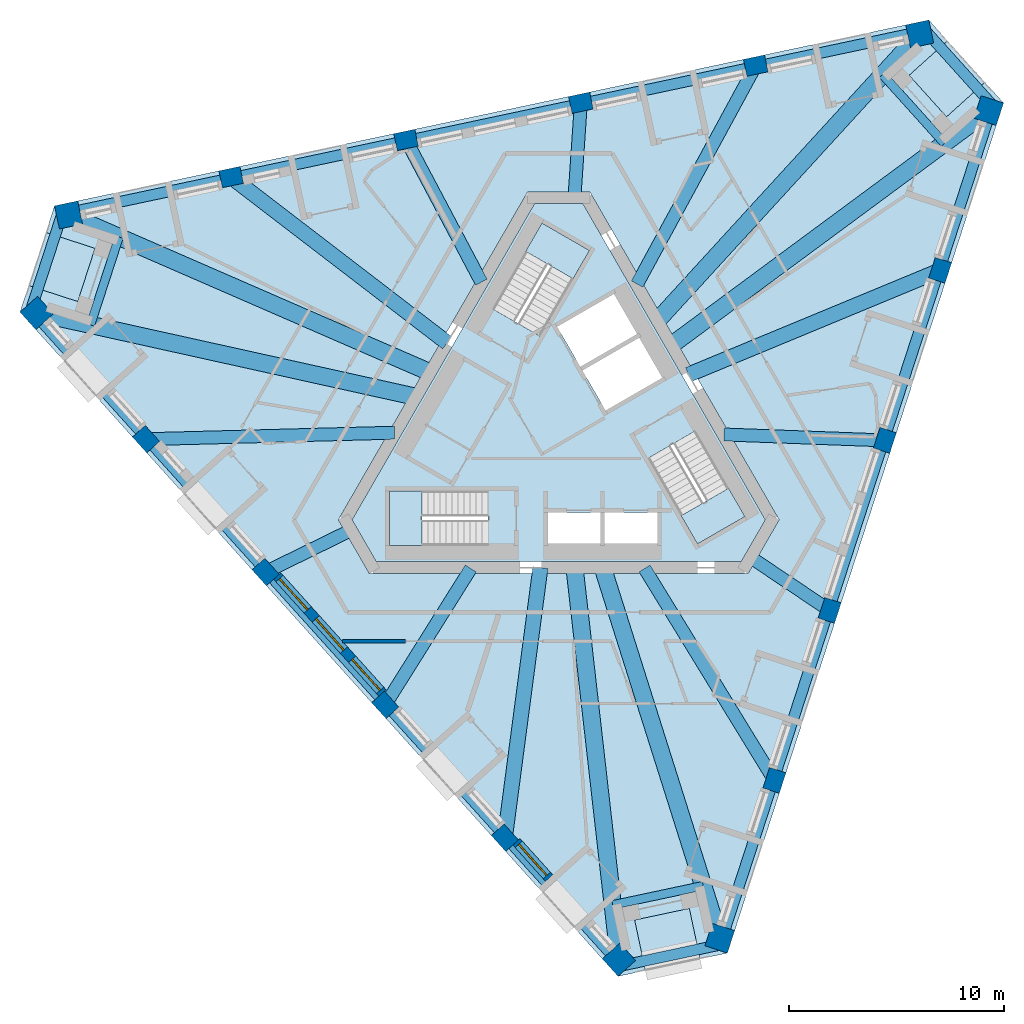
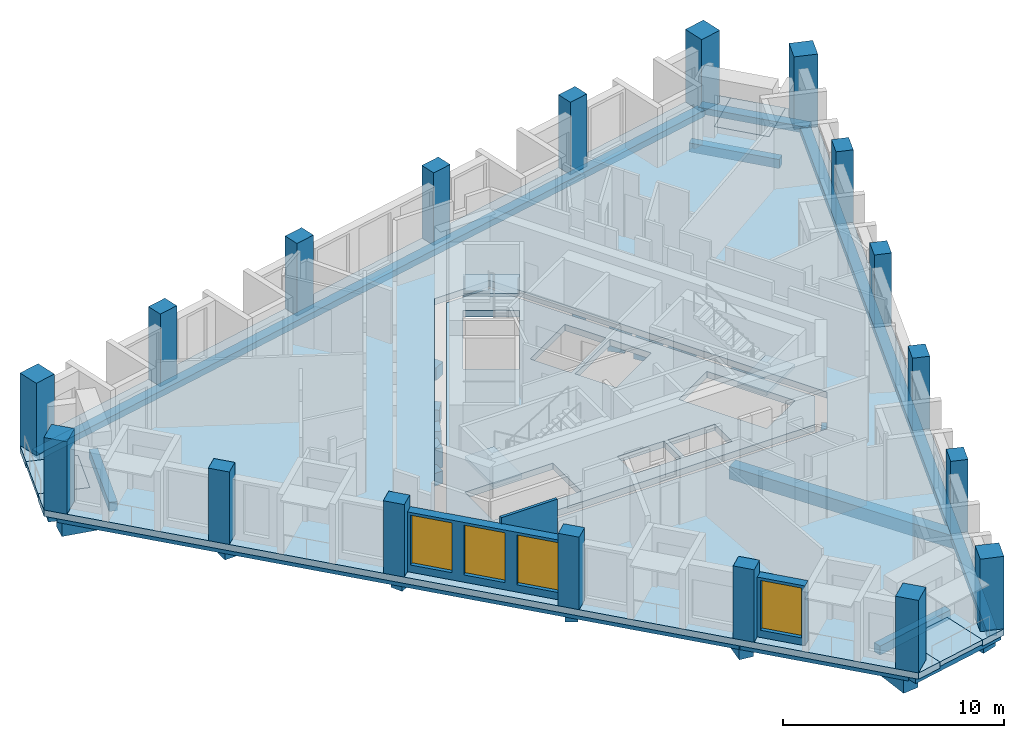
# One storey, part 1 of 12: 27 beams, 18 columns, 8 slabs, 4 windows, 3 walls, 4 openings, 3 elements without a shape of their own.
"""IFC4 building model written with IfcOpenShell, lengths in metres."""

from ifc_helpers import new_model, si_unit, direction, frame, frame_2d, origin, origin_2d, place, context, subcontext, project, spatial, polyline, rectangle, outline, extrude, material, layer, layer_set, material_profile, profile_set, type_object, element, fill, aggregate, save


model = new_model("IFC4")

# Units and contexts
model_context = context("Model", 3, precision=1e-05, world=origin(), true_north=direction((0.0, 1.0)))
body_context = subcontext(model_context, "Body", "Model", "MODEL_VIEW")
ifc_project = project(units=[si_unit("LENGTHUNIT", "METRE"), si_unit("AREAUNIT", "SQUARE_METRE"), si_unit("VOLUMEUNIT", "CUBIC_METRE"), si_unit("PLANEANGLEUNIT", "RADIAN"), si_unit("MASSUNIT", "GRAM", prefix="KILO")], contexts=[model_context])

# Site, building, storey
site_placement = place(None, origin())
site = spatial("IfcSite", under=ifc_project, at=site_placement, CompositionType="ELEMENT")
building_placement = place(site_placement, origin())
building = spatial("IfcBuilding", under=site, at=building_placement, Name="Tramontana Tower", CompositionType="ELEMENT")
storey_placement = place(building_placement, frame((0.0, 0.0, 336.39990234375)))
storey = spatial("IfcBuildingStorey", under=building, at=storey_placement, Name="L77", CompositionType="ELEMENT", Elevation=336.39990234375)

# Columns
ifc_material_1 = material(Name="Concrete 55 MPa", Category="concrete")
ifc_material_profile_1 = material_profile(ifc_material_1, rectangle(XDim=1.10009765625, YDim=1.10009765625, at=origin_2d()), Name="Mega column 1100X1100 55 MPa")
ifc_profile_set_1 = profile_set([ifc_material_profile_1], Name="Concrete 55 MPa")
column_type_1 = type_object("IfcColumnType", Name="Mega column 1100X1100 55 MPa", PredefinedType="COLUMN", material=ifc_profile_set_1)
for number, where, z_axis, x_axis, name in (
    (1, (-24.278076171875, 5.368408203125, 0.0), (0.0, 0.0, 1.0), (0.669130606359, -0.743144825477, 0.0), "Mega column C8K1 L77"),
    (2, (2.80126953125, -24.706298828125, 0.0), (0.0, 0.0, 1.0), (0.669130606359, -0.743144825477, 0.0), "Mega column C8K2 L77"),
    (3, (7.489990234375, -23.70947265625, 0.0), (0.0, 0.0, 1.0), (0.309016994375, 0.951056516295, 0.0), "Mega column C8K3 L77"),
    (4, (19.99560546875, 14.779052734375, 0.0), (0.0, 0.0, 1.0), (0.309016994375, 0.951056516295, 0.0), "Mega column C8K4 L77"),
    (5, (16.7880859375, 18.34130859375, 0.0), (0.0, 0.0, 1.0), (-0.978147600734, -0.207911690818, 0.0), "Mega column C8K5 L77"),
    (6, (-22.796875, 9.92724609375, 0.0), (0.0, 0.0, 1.0), (-0.978147600734, -0.207911690818, 0.0), "Mega column C8K6 L77"),
):
    element("IfcColumn", number, at=place(storey_placement, frame(where, z_axis=z_axis, x_axis=x_axis)), inside=storey, type_object=column_type_1, Name=name, PredefinedType="COLUMN", context=body_context, shape_type="SweptSolid", body=[
        extrude(rectangle(XDim=1.10009765625, YDim=1.10009765625, at=origin_2d()), origin(), (0.0, 0.0, 1.0), 4.0),
    ])
ifc_material_2 = material(Name="Concrete 55 MPa", Category="concrete")
ifc_material_profile_2 = material_profile(ifc_material_2, rectangle(XDim=1.0, YDim=0.800048828125, at=origin_2d()), Name="Pier column 1000X800 55 MPa")
ifc_profile_set_2 = profile_set([ifc_material_profile_2], Name="Concrete 55 MPa")
column_type_2 = type_object("IfcColumnType", Name="Pier column 1000X800 55 MPa", PredefinedType="COLUMN", material=ifc_profile_set_2)
for number, where, z_axis, x_axis, name in (
    (7, (-19.194580078125, -0.501708984375, 0.0), (0.0, 0.0, 1.0), (0.669130606359, -0.743144825477, 0.0), "Pier column C8F01 L77"),
    (8, (-13.63134765625, -6.68017578125, 0.0), (0.0, 0.0, 1.0), (0.669130606359, -0.743144825477, 0.0), "Pier column C8F02 L77"),
    (9, (-8.068359375, -12.8583984375, 0.0), (0.0, 0.0, 1.0), (0.669130606359, -0.743144825477, 0.0), "Pier column C8F03 L77"),
    (10, (-2.50537109375, -19.036865234375, 0.0), (0.0, 0.0, 1.0), (0.669130606359, -0.743144825477, 0.0), "Pier column C8F04 L77"),
    (11, (10.03173828125, -16.3720703125, 0.0), (0.0, 0.0, 1.0), (0.309016994375, 0.951056516295, 0.0), "Pier column C8F05 L77"),
    (12, (12.600830078125, -8.465087890625, 0.0), (0.0, 0.0, 1.0), (0.309016994375, 0.951056516295, 0.0), "Pier column C8F06 L77"),
    (13, (15.169921875, -0.55810546875, 0.0), (0.0, 0.0, 1.0), (0.309016994375, 0.951056516295, 0.0), "Pier column C8F07 L77"),
    (14, (17.739013671875, 7.348876953125, 0.0), (0.0, 0.0, 1.0), (0.309016994375, 0.951056516295, 0.0), "Pier column C8F08 L77"),
    (15, (9.162841796875, 16.873779296875, 0.0), (0.0, 0.0, 1.0), (-0.978147600734, -0.207911690818, 0.0), "Pier column C8F09 L77"),
    (16, (1.030517578125, 15.145263671875, 0.0), (0.0, 0.0, 1.0), (-0.978147600734, -0.207911690818, 0.0), "Pier column C8F10 L77"),
    (17, (-7.1015625, 13.416748046875, 0.0), (0.0, 0.0, 1.0), (-0.978147600734, -0.207911690818, 0.0), "Pier column C8F11 L77"),
    (18, (-15.233642578125, 11.688232421875, 0.0), (0.0, 0.0, 1.0), (-0.978147600734, -0.207911690818, 0.0), "Pier column C8F12 L77"),
):
    element("IfcColumn", number, at=place(storey_placement, frame(where, z_axis=z_axis, x_axis=x_axis)), inside=storey, type_object=column_type_2, Name=name, PredefinedType="COLUMN", context=body_context, shape_type="SweptSolid", body=[
        extrude(rectangle(XDim=1.0, YDim=0.800048828125, at=origin_2d()), origin(), (0.0, 0.0, 1.0), 4.0),
    ])

# Beams
ifc_material_3 = material(Name="Concrete 40 MPa", Category="concrete")
ifc_material_profile_3 = material_profile(ifc_material_3, rectangle(XDim=0.5, YDim=0.35009765625, at=origin_2d()), Name="RC EDGE BEAM 500X350 40 MPa")
ifc_profile_set_3 = profile_set([ifc_material_profile_3], Name="Concrete 40 MPa")
beam_type_1 = type_object("IfcBeamType", Name="RC EDGE BEAM 500X350 40 MPa", PredefinedType="SPANDREL", material=ifc_profile_set_3)
for number, where, z_axis, x_axis, name in (
    (19, (-24.352294921875, 5.301513671875, -0.52490234375), (0.669126699639, -0.743148343086, 0.0), (0.743148343086, 0.669126699639, 0.0), "Spandrel beam S0 L77"),
    (20, (7.5849609375, -23.740478515625, -0.52490234375), (0.309021003975, 0.951055213488, 0.0), (-0.951055213488, 0.309021003975, 0.0), "Spandrel beam S1 L77"),
):
    element("IfcBeam", number, at=place(storey_placement, frame(where, z_axis=z_axis, x_axis=x_axis)), inside=storey, type_object=beam_type_1, Name=name, PredefinedType="SPANDREL", context=body_context, shape_type="SweptSolid", body=[
        extrude(rectangle(XDim=0.5, YDim=0.35009765625, at=origin_2d()), origin(), (0.0, 0.0, 1.0), 40.46923828125),
    ])
beam_1_placement = place(storey_placement, frame((16.767333984375, 18.439208984375, -0.52490234375), z_axis=(-0.978146276815, -0.20791791927, 0.0), x_axis=(0.20791791927, -0.978146276815, 0.0)))
element("IfcBeam", 21, at=beam_1_placement, inside=storey, type_object=beam_type_1, Name="Spandrel beam S2 L77", PredefinedType="SPANDREL", context=body_context, shape_type="SweptSolid", body=[
    extrude(rectangle(XDim=0.5, YDim=0.35009765625, at=origin_2d()), origin(), (0.0, 0.0, 1.0), 40.469482421875),
])
beam_2_placement = place(storey_placement, frame((-23.02099609375, 10.2119140625, -0.52490234375), z_axis=(-0.309015953557, -0.951056854477, 0.0), x_axis=(0.951056854477, -0.309015953557, 0.0)))
element("IfcBeam", 22, at=beam_2_placement, inside=storey, type_object=beam_type_1, Name="Spandrel beam K0 L77", PredefinedType="SPANDREL", context=body_context, shape_type="SweptSolid", body=[
    extrude(rectangle(XDim=0.5, YDim=0.35009765625, at=origin_2d()), origin(), (0.0, 0.0, 1.0), 5.1962890625),
])
for number, where, z_axis, x_axis, name in (
    (23, (2.6669921875, -25.042724609375, -0.52490234375), (0.97814762463, 0.207911578393, 0.0), (-0.207911578393, 0.97814762463, 0.0), "Spandrel beam K1 L77"),
    (24, (20.354248046875, 14.8310546875, -0.52490234375), (-0.66916199362, 0.74311656306, 0.0), (-0.74311656306, -0.66916199362, 0.0), "Spandrel beam K2 L77"),
):
    element("IfcBeam", number, at=place(storey_placement, frame(where, z_axis=z_axis, x_axis=x_axis)), inside=storey, type_object=beam_type_1, Name=name, PredefinedType="SPANDREL", context=body_context, shape_type="SweptSolid", body=[
        extrude(rectangle(XDim=0.5, YDim=0.35009765625, at=origin_2d()), origin(), (0.0, 0.0, 1.0), 5.196044921875),
    ])
ifc_material_4 = material(Name="Concrete 40 MPa", Category="concrete")
ifc_material_profile_4 = material_profile(ifc_material_4, rectangle(XDim=0.60009765625, YDim=0.699951171875, at=origin_2d()), Name="RC GIRDER 600X700 40 MPa")
ifc_profile_set_4 = profile_set([ifc_material_profile_4], Name="Concrete 40 MPa")
beam_type_2 = type_object("IfcBeamType", Name="RC GIRDER 600X700 40 MPa", PredefinedType="BEAM", material=ifc_profile_set_4)
beam_3_placement = place(storey_placement, frame((-19.194580078125, -0.501708984375, -0.699951171875), z_axis=(0.999658682192, 0.026125066864, 0.0), x_axis=(-0.026125066864, 0.999658682192, 0.0)))
element("IfcBeam", 25, at=beam_3_placement, inside=storey, type_object=beam_type_2, Name="Radial girder C8F01 L77", PredefinedType="BEAM", context=body_context, shape_type="SweptSolid", body=[
    extrude(rectangle(XDim=0.60009765625, YDim=0.699951171875, at=origin_2d()), origin(), (0.0, 0.0, 1.0), 11.559814453125),
])
beam_4_placement = place(storey_placement, frame((-13.63134765625, -6.68017578125, -0.699951171875), z_axis=(0.897959158445, 0.440078799496, 0.0), x_axis=(-0.440078799496, 0.897959158445, 0.0)))
element("IfcBeam", 26, at=beam_4_placement, inside=storey, type_object=beam_type_2, Name="Radial girder C8F02 L77", PredefinedType="BEAM", context=body_context, shape_type="SweptSolid", body=[
    extrude(rectangle(XDim=0.60009765625, YDim=0.699951171875, at=origin_2d()), origin(), (0.0, 0.0, 1.0), 4.4296875),
])
beam_5_placement = place(storey_placement, frame((-8.068359375, -12.8583984375, -0.699951171875), z_axis=(0.531504835363, 0.847055257929, 0.0), x_axis=(-0.847055257929, 0.531504835363, 0.0)))
element("IfcBeam", 27, at=beam_5_placement, inside=storey, type_object=beam_type_2, Name="Radial girder C8F03 L77", PredefinedType="BEAM", context=body_context, shape_type="SweptSolid", body=[
    extrude(rectangle(XDim=0.60009765625, YDim=0.699951171875, at=origin_2d()), origin(), (0.0, 0.0, 1.0), 7.486328125),
])
beam_6_placement = place(storey_placement, frame((10.03173828125, -16.3720703125, -0.699951171875), z_axis=(-0.522458548495, 0.852664685034, 0.0), x_axis=(-0.852664685034, -0.522458548495, 0.0)))
element("IfcBeam", 28, at=beam_6_placement, inside=storey, type_object=beam_type_2, Name="Radial girder C8F05 L77", PredefinedType="BEAM", context=body_context, shape_type="SweptSolid", body=[
    extrude(rectangle(XDim=0.60009765625, YDim=0.699951171875, at=origin_2d()), origin(), (0.0, 0.0, 1.0), 11.559814453125),
])
beam_7_placement = place(storey_placement, frame((12.600830078125, -8.465087890625, -0.699951171875), z_axis=(-0.830077902204, 0.557647448011, 0.0), x_axis=(-0.557647448011, -0.830077902204, 0.0)))
element("IfcBeam", 29, at=beam_7_placement, inside=storey, type_object=beam_type_2, Name="Radial girder C8F06 L77", PredefinedType="BEAM", context=body_context, shape_type="SweptSolid", body=[
    extrude(rectangle(XDim=0.60009765625, YDim=0.699951171875, at=origin_2d()), origin(), (0.0, 0.0, 1.0), 4.4296875),
])
beam_8_placement = place(storey_placement, frame((15.169921875, -0.55810546875, -0.699951171875), z_axis=(-0.999324360611, 0.036753534393, 0.0), x_axis=(-0.036753534393, -0.999324360611, 0.0)))
element("IfcBeam", 30, at=beam_8_placement, inside=storey, type_object=beam_type_2, Name="Radial girder C8F07 L77", PredefinedType="BEAM", context=body_context, shape_type="SweptSolid", body=[
    extrude(rectangle(XDim=0.60009765625, YDim=0.699951171875, at=origin_2d()), origin(), (0.0, 0.0, 1.0), 7.486328125),
])
beam_9_placement = place(storey_placement, frame((9.16259765625, 16.873779296875, -0.699951171875), z_axis=(-0.477185075818, -0.87880282397, 0.0), x_axis=(0.87880282397, -0.477185075818, 0.0)))
element("IfcBeam", 31, at=beam_9_placement, inside=storey, type_object=beam_type_2, Name="Radial girder C8F09 L77", PredefinedType="BEAM", context=body_context, shape_type="SweptSolid", body=[
    extrude(rectangle(XDim=0.60009765625, YDim=0.699951171875, at=origin_2d()), origin(), (0.0, 0.0, 1.0), 11.559814453125),
])
beam_10_placement = place(storey_placement, frame((1.030517578125, 15.145263671875, -0.699951171875), z_axis=(-0.067897965918, -0.997692270304, 0.0), x_axis=(0.997692270304, -0.067897965918, 0.0)))
element("IfcBeam", 32, at=beam_10_placement, inside=storey, type_object=beam_type_2, Name="Radial girder C8F10 L77", PredefinedType="BEAM", context=body_context, shape_type="SweptSolid", body=[
    extrude(rectangle(XDim=0.60009765625, YDim=0.699951171875, at=origin_2d()), origin(), (0.0, 0.0, 1.0), 4.429931640625),
])
beam_11_placement = place(storey_placement, frame((-7.1015625, 13.416748046875, -0.699951171875), z_axis=(0.467808305742, -0.883829954843, 0.0), x_axis=(0.883829954843, 0.467808305742, 0.0)))
element("IfcBeam", 33, at=beam_11_placement, inside=storey, type_object=beam_type_2, Name="Radial girder C8F11 L77", PredefinedType="BEAM", context=body_context, shape_type="SweptSolid", body=[
    extrude(rectangle(XDim=0.60009765625, YDim=0.699951171875, at=origin_2d()), origin(), (0.0, 0.0, 1.0), 7.486328125),
])
ifc_material_5 = material(Name="Concrete 40 MPa", Category="concrete")
ifc_material_profile_5 = material_profile(ifc_material_5, rectangle(XDim=0.699951171875, YDim=0.89990234375, at=origin_2d()), Name="RC GIRDER 700X900 40 MPa")
ifc_profile_set_5 = profile_set([ifc_material_profile_5], Name="Concrete 40 MPa")
beam_type_3 = type_object("IfcBeamType", Name="RC GIRDER 700X900 40 MPa", PredefinedType="BEAM", material=ifc_profile_set_5)
beam_12_placement = place(storey_placement, frame((-2.50537109375, -19.036865234375, -0.7998046875), z_axis=(0.130493398369, 0.991449178214, 0.0), x_axis=(-0.991449178214, 0.130493398369, 0.0)))
element("IfcBeam", 34, at=beam_12_placement, inside=storey, type_object=beam_type_3, Name="Radial girder C8F04 L77", PredefinedType="BEAM", context=body_context, shape_type="SweptSolid", body=[
    extrude(rectangle(XDim=0.699951171875, YDim=0.89990234375, at=origin_2d()), origin(), (0.0, 0.0, 1.0), 12.66796875),
])
beam_13_placement = place(storey_placement, frame((17.739013671875, 7.348876953125, -0.7998046875), z_axis=(-0.923857326556, -0.382737037885, 0.0), x_axis=(0.382737037885, -0.923857326556, 0.0)))
element("IfcBeam", 35, at=beam_13_placement, inside=storey, type_object=beam_type_3, Name="Radial girder C8F08 L77", PredefinedType="BEAM", context=body_context, shape_type="SweptSolid", body=[
    extrude(rectangle(XDim=0.699951171875, YDim=0.89990234375, at=origin_2d()), origin(), (0.0, 0.0, 1.0), 12.667724609375),
])
beam_14_placement = place(storey_placement, frame((-15.23388671875, 11.68798828125, -0.7998046875), z_axis=(0.793386383047, -0.608718364431, 0.0), x_axis=(0.608718364431, 0.793386383047, 0.0)))
element("IfcBeam", 36, at=beam_14_placement, inside=storey, type_object=beam_type_3, Name="Radial girder C8F12 L77", PredefinedType="BEAM", context=body_context, shape_type="SweptSolid", body=[
    extrude(rectangle(XDim=0.699951171875, YDim=0.89990234375, at=origin_2d()), origin(), (0.0, 0.0, 1.0), 12.66796875),
])
ifc_material_6 = material(Name="Concrete 40 MPa", Category="concrete")
ifc_material_profile_6 = material_profile(ifc_material_6, rectangle(XDim=0.800048828125, YDim=1.10009765625, at=origin_2d()), Name="RC GIRDER 800X1100 40 MPa")
ifc_profile_set_6 = profile_set([ifc_material_profile_6], Name="Concrete 40 MPa")
beam_type_4 = type_object("IfcBeamType", Name="RC GIRDER 800X1100 40 MPa", PredefinedType="BEAM", material=ifc_profile_set_6)
beam_15_placement = place(storey_placement, frame((-24.278076171875, 5.368408203125, -0.89990234375), z_axis=(0.976414256624, -0.215905533653, 0.0), x_axis=(0.215905533653, 0.976414256624, 0.0)))
element("IfcBeam", 37, at=beam_15_placement, inside=storey, type_object=beam_type_4, Name="Radial girder C8K1 L77", PredefinedType="BEAM", context=body_context, shape_type="SweptSolid", body=[
    extrude(rectangle(XDim=0.800048828125, YDim=1.10009765625, at=origin_2d()), origin(), (0.0, 0.0, 1.0), 18.060791015625),
])
beam_16_placement = place(storey_placement, frame((2.80126953125, -24.706298828125, -0.89990234375), z_axis=(-0.112660068087, 0.993633588934, 0.0), x_axis=(-0.993633588934, -0.112660068087, 0.0)))
element("IfcBeam", 38, at=beam_16_placement, inside=storey, type_object=beam_type_4, Name="Radial girder C8K2 L77", PredefinedType="BEAM", context=body_context, shape_type="SweptSolid", body=[
    extrude(rectangle(XDim=0.800048828125, YDim=1.10009765625, at=origin_2d()), origin(), (0.0, 0.0, 1.0), 18.34619140625),
])
beam_17_placement = place(storey_placement, frame((7.489990234375, -23.709716796875, -0.89990234375), z_axis=(-0.301228407795, 0.953552015538, 0.0), x_axis=(-0.953552015538, -0.301228407795, 0.0)))
element("IfcBeam", 39, at=beam_17_placement, inside=storey, type_object=beam_type_4, Name="Radial girder C8K3 L77", PredefinedType="BEAM", context=body_context, shape_type="SweptSolid", body=[
    extrude(rectangle(XDim=0.800048828125, YDim=1.10009765625, at=origin_2d()), origin(), (0.0, 0.0, 1.0), 18.060791015625),
])
beam_18_placement = place(storey_placement, frame((19.99560546875, 14.779052734375, -0.89990234375), z_axis=(-0.804178630494, -0.594387693562, 0.0), x_axis=(0.594387693562, -0.804178630494, 0.0)))
element("IfcBeam", 40, at=beam_18_placement, inside=storey, type_object=beam_type_4, Name="Radial girder C8K4 L77", PredefinedType="BEAM", context=body_context, shape_type="SweptSolid", body=[
    extrude(rectangle(XDim=0.800048828125, YDim=1.10009765625, at=origin_2d()), origin(), (0.0, 0.0, 1.0), 18.34619140625),
])
beam_19_placement = place(storey_placement, frame((16.7880859375, 18.34130859375, -0.89990234375), z_axis=(-0.675183941423, -0.737649405371, 0.0), x_axis=(0.737649405371, -0.675183941423, 0.0)))
element("IfcBeam", 41, at=beam_19_placement, inside=storey, type_object=beam_type_4, Name="Radial girder C8K5 L77", PredefinedType="BEAM", context=body_context, shape_type="SweptSolid", body=[
    extrude(rectangle(XDim=0.800048828125, YDim=1.10009765625, at=origin_2d()), origin(), (0.0, 0.0, 1.0), 18.060791015625),
])
beam_20_placement = place(storey_placement, frame((-22.796875, 9.92724609375, -0.89990234375), z_axis=(0.916837391717, -0.399260813441, 0.0), x_axis=(0.399260813441, 0.916837391717, 0.0)))
element("IfcBeam", 42, at=beam_20_placement, inside=storey, type_object=beam_type_4, Name="Radial girder C8K6 L77", PredefinedType="BEAM", context=body_context, shape_type="SweptSolid", body=[
    extrude(rectangle(XDim=0.800048828125, YDim=1.10009765625, at=origin_2d()), origin(), (0.0, 0.0, 1.0), 18.34619140625),
])
ifc_material_7 = material(Name="Concrete 40 MPa", Category="concrete")
ifc_material_profile_7 = material_profile(ifc_material_7, rectangle(XDim=0.39990234375, YDim=0.5, at=origin_2d()), Name="RC TRIM BEAM 400X500 40 MPa")
ifc_profile_set_7 = profile_set([ifc_material_profile_7], Name="Concrete 40 MPa")
beam_type_5 = type_object("IfcBeamType", Name="RC TRIM BEAM 400X500 40 MPa", PredefinedType="JOIST", material=ifc_profile_set_7)
for number, where, z_axis, x_axis, name in (
    (43, (-20.44921875, 8.90478515625, -0.599853515625), (-0.308996198876, -0.951063272911, 0.0), (0.951063272911, -0.308996198876, 0.0), "Trimmer beam K0 L77"),
    (44, (2.5126953125, -22.161865234375, -0.599853515625), (0.978144273721, 0.207927342565, 0.0), (-0.207927342565, 0.978144273721, 0.0), "Trimmer beam K1 L77"),
    (45, (17.936279296875, 13.257080078125, -0.599853515625), (-0.669146657008, 0.743130373094, 0.0), (-0.743130373094, -0.669146657008, 0.0), "Trimmer beam K2 L77"),
):
    element("IfcBeam", number, at=place(storey_placement, frame(where, z_axis=z_axis, x_axis=x_axis)), inside=storey, type_object=beam_type_5, Name=name, PredefinedType="JOIST", context=body_context, shape_type="SweptSolid", body=[
        extrude(rectangle(XDim=0.39990234375, YDim=0.5, at=origin_2d()), origin(), (0.0, 0.0, 1.0), 4.2998046875),
    ])

# Slabs
ifc_material_8 = material(Name="Precast concrete 50 MPa", Category="concrete")
ifc_layer_1 = layer(ifc_material_8, 0.25)
ifc_layer_set_1 = layer_set([ifc_layer_1], Name="LT1 Loggia floor tray 250")
slab_type_1 = type_object("IfcSlabType", Name="LT1 Loggia floor tray 250", PredefinedType="FLOOR", material=ifc_layer_set_1)
slab_1_placement = place(storey_placement, frame((0.0, 0.0, -0.25)))
element("IfcSlab", 46, at=slab_1_placement, inside=storey, type_object=slab_type_1, Name="Corner loggia floor L77 K80", PredefinedType="FLOOR", context=body_context, shape_type="SweptSolid", body=[
    extrude(outline(polyline([(-23.85009765625, 9.1162109375), (-21.567626953125, 8.374755859375), (-22.37109375, 5.90185546875), (-24.653564453125, 6.6435546875), (-23.85009765625, 9.1162109375)])), origin(), (0.0, 0.0, 1.0), 0.25),
])
slab_2_placement = place(storey_placement, frame((0.0, 0.0, -0.25)))
element("IfcSlab", 47, at=slab_2_placement, inside=storey, type_object=slab_type_1, Name="Corner loggia floor L77 K81", PredefinedType="FLOOR", context=body_context, shape_type="SweptSolid", body=[
    extrude(outline(polyline([(4.0302734375, -25.213134765625), (3.53125, -22.865478515625), (6.074462890625, -22.324951171875), (6.5732421875, -24.67236328125), (4.0302734375, -25.213134765625)])), origin(), (0.0, 0.0, 1.0), 0.25),
])
slab_3_placement = place(storey_placement, frame((0.0, 0.0, -0.25)))
element("IfcSlab", 48, at=slab_3_placement, inside=storey, type_object=slab_type_1, Name="Corner loggia floor L77 K82", PredefinedType="FLOOR", context=body_context, shape_type="SweptSolid", body=[
    extrude(outline(polyline([(19.820068359375, 16.0966796875), (18.03662109375, 14.49072265625), (16.296875, 16.423095703125), (18.080322265625, 18.02880859375), (19.820068359375, 16.0966796875)])), origin(), (0.0, 0.0, 1.0), 0.25),
])
ifc_material_9 = material(Name="Concrete 40 MPa", Category="concrete")
ifc_layer_2 = layer(ifc_material_9, 0.35009765625)
ifc_layer_set_2 = layer_set([ifc_layer_2], Name="PT FLAT SLAB 350 40 MPa")
slab_type_2 = type_object("IfcSlabType", Name="PT FLAT SLAB 350 40 MPa", PredefinedType="FLOOR", material=ifc_layer_set_2)
slab_4_placement = place(storey_placement, frame((0.0, 0.0, -0.349853515625)))
element("IfcSlab", 49, at=slab_4_placement, inside=storey, type_object=slab_type_2, Name="Floor slab L77", PredefinedType="FLOOR", context=body_context, shape_type="SweptSolid", body=[
    extrude(outline(polyline([(18.080322265625, 18.02880859375), (16.296875, 16.423095703125), (18.03662109375, 14.49072265625), (19.820068359375, 16.0966796875), (20.688720703125, 15.132080078125), (7.843017578125, -24.402587890625), (6.5732421875, -24.672607421875), (6.074462890625, -22.324951171875), (3.53125, -22.865478515625), (4.0302734375, -25.212890625), (2.760498046875, -25.48291015625), (-25.0546875, 5.408935546875), (-24.65380859375, 6.6435546875), (-22.37109375, 5.90185546875), (-21.567626953125, 8.374755859375), (-23.85009765625, 9.1162109375), (-23.44921875, 10.350830078125), (17.211669921875, 18.99365234375), (18.080322265625, 18.02880859375)]), holes=[polyline([(-10.248046875, -4.25), (-8.8046875, -6.75), (8.8046875, -6.75), (10.248046875, -4.25), (1.443359375, 11.0), (-1.443359375, 11.0), (-10.248046875, -4.25)])]), origin(), (0.0, 0.0, 1.0), 0.349853515625),
])
slab_5_placement = place(storey_placement, frame((0.0, 0.0, -0.349853515625)))
element("IfcSlab", 50, at=slab_5_placement, inside=storey, type_object=slab_type_2, Name="Core floor slab L77", PredefinedType="FLOOR", context=body_context, shape_type="SweptSolid", body=[
    extrude(outline(polyline([(9.61279296875, -4.25), (8.487060546875, -6.199951171875), (-8.487060546875, -6.199951171875), (-9.61279296875, -4.25), (-1.125732421875, 10.449951171875), (1.125732421875, 10.449951171875), (9.61279296875, -4.25)]), holes=[polyline([(8.659912109375, -4.099365234375), (6.35986328125, -0.115478515625), (4.151611328125, -1.390625), (6.451416015625, -5.374267578125), (8.659912109375, -4.099365234375)]), polyline([(3.829833984375, 4.2666015625), (1.101806640625, 2.69140625), (2.177001953125, 0.82958984375), (4.90478515625, 2.404541015625), (3.829833984375, 4.2666015625)]), polyline([(4.590087890625, -3.89990234375), (2.139892578125, -3.89990234375), (2.139892578125, -5.449951171875), (4.590087890625, -5.449951171875), (4.590087890625, -3.89990234375)]), polyline([(2.65478515625, 6.3017578125), (-0.072998046875, 4.726806640625), (1.001953125, 2.86474609375), (3.729736328125, 4.439697265625), (2.65478515625, 6.3017578125)]), polyline([(1.93994140625, -5.449951171875), (1.93994140625, -3.89990234375), (-0.510009765625, -3.89990234375), (-0.510009765625, -5.449951171875), (1.93994140625, -5.449951171875)]), polyline([(-0.77978515625, 9.54931640625), (-3.079833984375, 5.565673828125), (-0.87158203125, 4.29052734375), (1.428466796875, 8.2744140625), (-0.77978515625, 9.54931640625)]), polyline([(-7.8798828125, -5.449951171875), (-3.280029296875, -5.449951171875), (-3.280029296875, -2.89990234375), (-7.8798828125, -2.89990234375), (-7.8798828125, -5.449951171875)])]), origin(), (0.0, 0.0, 1.0), 0.349853515625),
])

# Stair, slab
ifc_material_10 = material(Name="Concrete 40 MPa", Category="concrete")
stair_type = type_object("IfcStairType", Name="EXIT STAIR 24 RISERS", PredefinedType="HALF_TURN_STAIR", material=ifc_material_10)
stair_1_placement = place(storey_placement, origin())
stair_1 = element("IfcStair", 51, at=stair_1_placement, inside=storey, type_object=stair_type, Name="L77 Exit stair ST1", PredefinedType="HALF_TURN_STAIR")
ifc_material_11 = material(Name="Concrete 40 MPa", Category="concrete")
ifc_layer_3 = layer(ifc_material_11, 0.199951171875)
ifc_layer_set_3 = layer_set([ifc_layer_3], Name="STAIR LANDING 200")
slab_type_3 = type_object("IfcSlabType", Name="STAIR LANDING 200", PredefinedType="LANDING", material=ifc_layer_set_3)
slab_6_placement = place(storey_placement, frame((0.0, 0.0, 1.800048828125)))
slab_6 = element("IfcSlab", 52, at=slab_6_placement, type_object=slab_type_3, Name="ST1 landing 1", PredefinedType="LANDING", context=body_context, shape_type="SweptSolid", body=[
    extrude(outline(polyline([(0.66845703125, 6.9580078125), (1.428466796875, 8.274169921875), (-0.77978515625, 9.54931640625), (-1.539794921875, 8.23291015625), (0.66845703125, 6.9580078125)])), origin(), (0.0, 0.0, 1.0), 0.199951171875),
])
aggregate(stair_1, [slab_6])

stair_2_placement = place(storey_placement, origin())
stair_2 = element("IfcStair", 53, at=stair_2_placement, inside=storey, type_object=stair_type, Name="L77 Exit stair ST2", PredefinedType="HALF_TURN_STAIR")
slab_7_placement = place(storey_placement, frame((0.0, 0.0, 1.800048828125)))
slab_7 = element("IfcSlab", 54, at=slab_7_placement, type_object=slab_type_3, Name="ST2 landing 1", PredefinedType="LANDING", context=body_context, shape_type="SweptSolid", body=[
    extrude(outline(polyline([(-6.360107421875, -2.89990234375), (-7.8798828125, -2.89990234375), (-7.8798828125, -5.449951171875), (-6.360107421875, -5.449951171875), (-6.360107421875, -2.89990234375)])), origin(), (0.0, 0.0, 1.0), 0.199951171875),
])
aggregate(stair_2, [slab_7])

stair_3_placement = place(storey_placement, origin())
stair_3 = element("IfcStair", 55, at=stair_3_placement, inside=storey, type_object=stair_type, Name="L77 Exit stair ST3", PredefinedType="HALF_TURN_STAIR")
slab_8_placement = place(storey_placement, frame((0.0, 0.0, 1.800048828125)))
slab_8 = element("IfcSlab", 56, at=slab_8_placement, type_object=slab_type_3, Name="ST3 landing 1", PredefinedType="LANDING", context=body_context, shape_type="SweptSolid", body=[
    extrude(outline(polyline([(5.69140625, -4.057861328125), (6.451416015625, -5.374267578125), (8.659912109375, -4.099365234375), (7.89990234375, -2.782958984375), (5.69140625, -4.057861328125)])), origin(), (0.0, 0.0, 1.0), 0.199951171875),
])
aggregate(stair_3, [slab_8])

# Wall, openings, windows
ifc_material_12 = material(Name="Precast concrete 60 MPa", Category="concrete")
ifc_layer_4 = layer(ifc_material_12, 0.449951171875)
ifc_layer_set_4 = layer_set([ifc_layer_4], Name="Precast concrete 60 MPa, 450 mm")
wall_type_1 = type_object("IfcWallType", Name="EW1 Stone-faced precast wall 450", PredefinedType="SOLIDWALL", material=ifc_layer_set_4)
wall_1_placement = place(storey_placement, frame((-13.092529296875, -6.86767578125, 0.0), z_axis=(0.0, 0.0, 1.0), x_axis=(0.669136224502, -0.74313976684, 0.0)))
wall_1 = element("IfcWall", 57, at=wall_1_placement, inside=storey, type_object=wall_type_1, Name="External wall L77 face 0 bay 3", PredefinedType="SOLIDWALL", context=body_context, shape_type="SweptSolid", body=[
    extrude(rectangle(XDim=7.31396484375, YDim=0.449951171875, at=frame_2d((3.656982421875, 0.0))), origin(), (0.0, 0.0, 1.0), 3.300048828125),
])
opening_1_placement = place(wall_1_placement, frame((0.16064453125, 0.0, 0.39990234375)))
opening_1 = element("IfcOpeningElement", 58, at=opening_1_placement, cuts=wall_1, Name="Opening M3", PredefinedType="OPENING", context=body_context, shape_type="SweptSolid", body=[
    extrude(rectangle(XDim=1.949951171875, YDim=2.75, at=frame_2d((0.97509765625, 1.375))), frame((0.0, 0.23486328125, 0.0), z_axis=(0.0, -1.0, 0.0), x_axis=(1.0, 0.0, 0.0)), (0.0, 0.0, 1.0), 0.469970703125),
])
opening_2_placement = place(wall_1_placement, frame((2.681884765625, 0.0, 0.39990234375)))
opening_2 = element("IfcOpeningElement", 59, at=opening_2_placement, cuts=wall_1, Name="Opening M3", PredefinedType="OPENING", context=body_context, shape_type="SweptSolid", body=[
    extrude(rectangle(XDim=1.949951171875, YDim=2.75, at=frame_2d((0.97509765625, 1.375))), frame((0.0, 0.23486328125, 0.0), z_axis=(0.0, -1.0, 0.0), x_axis=(1.0, 0.0, 0.0)), (0.0, 0.0, 1.0), 0.469970703125),
])
opening_3_placement = place(wall_1_placement, frame((5.203125, 0.0, 0.39990234375)))
opening_3 = element("IfcOpeningElement", 60, at=opening_3_placement, cuts=wall_1, Name="Opening M3", PredefinedType="OPENING", context=body_context, shape_type="SweptSolid", body=[
    extrude(rectangle(XDim=1.949951171875, YDim=2.75, at=frame_2d((0.97509765625, 1.375))), frame((0.0, 0.23486328125, 0.0), z_axis=(0.0, -1.0, 0.0), x_axis=(1.0, 0.0, 0.0)), (0.0, 0.0, 1.0), 0.469970703125),
])
ifc_material_13 = material(Name="Aluminum frame, double glazing unit", Category="aluminium")
window_type = type_object("IfcWindowType", Name="M3 Window 1.95 x 2.75", PartitioningType="SINGLE_PANEL", PredefinedType="WINDOW", material=ifc_material_13)
window_1_placement = place(opening_1_placement, origin())
window_1 = element("IfcWindow", 61, at=window_1_placement, inside=storey, type_object=window_type, Name="Window M3 L77 face 0 module 7", OverallHeight=2.75, OverallWidth=1.949951171875, PartitioningType="SINGLE_PANEL", PredefinedType="WINDOW", context=body_context, shape_type="SweptSolid", body=[
    extrude(rectangle(XDim=1.949951171875, YDim=2.75, at=frame_2d((0.97509765625, 1.375))), frame((0.0, 0.030029296875, 0.0), z_axis=(0.0, -1.0, 0.0), x_axis=(1.0, 0.0, 0.0)), (0.0, 0.0, 1.0), 0.06005859375),
])
fill(opening_1, window_1)
window_2_placement = place(opening_2_placement, origin())
window_2 = element("IfcWindow", 62, at=window_2_placement, inside=storey, type_object=window_type, Name="Window M3 L77 face 0 module 8", OverallHeight=2.75, OverallWidth=1.949951171875, PartitioningType="SINGLE_PANEL", PredefinedType="WINDOW", context=body_context, shape_type="SweptSolid", body=[
    extrude(rectangle(XDim=1.949951171875, YDim=2.75, at=frame_2d((0.97509765625, 1.375))), frame((0.0, 0.030029296875, 0.0), z_axis=(0.0, -1.0, 0.0), x_axis=(1.0, 0.0, 0.0)), (0.0, 0.0, 1.0), 0.06005859375),
])
fill(opening_2, window_2)
window_3_placement = place(opening_3_placement, origin())
window_3 = element("IfcWindow", 63, at=window_3_placement, inside=storey, type_object=window_type, Name="Window M3 L77 face 0 module 9", OverallHeight=2.75, OverallWidth=1.949951171875, PartitioningType="SINGLE_PANEL", PredefinedType="WINDOW", context=body_context, shape_type="SweptSolid", body=[
    extrude(rectangle(XDim=1.949951171875, YDim=2.75, at=frame_2d((0.97509765625, 1.375))), frame((0.0, 0.030029296875, 0.0), z_axis=(0.0, -1.0, 0.0), x_axis=(1.0, 0.0, 0.0)), (0.0, 0.0, 1.0), 0.06005859375),
])
fill(opening_3, window_3)

# Wall, opening, window
wall_2_placement = place(storey_placement, frame((-1.96630859375, -19.224365234375, 0.0), z_axis=(0.0, 0.0, 1.0), x_axis=(0.669107243666, -0.743165860676, 0.0)))
wall_2 = element("IfcWall", 64, at=wall_2_placement, inside=storey, type_object=wall_type_1, Name="External wall L77 face 0 bay 5", PredefinedType="SOLIDWALL", context=body_context, shape_type="SweptSolid", body=[
    extrude(rectangle(XDim=2.271240234375, YDim=0.449951171875, at=frame_2d((1.1357421875, 0.0))), origin(), (0.0, 0.0, 1.0), 3.300048828125),
])
opening_4_placement = place(wall_2_placement, frame((0.16064453125, 0.0, 0.39990234375)))
opening_4 = element("IfcOpeningElement", 65, at=opening_4_placement, cuts=wall_2, Name="Opening M3", PredefinedType="OPENING", context=body_context, shape_type="SweptSolid", body=[
    extrude(rectangle(XDim=1.949951171875, YDim=2.75, at=frame_2d((0.97509765625, 1.375))), frame((0.0, 0.23486328125, 0.0), z_axis=(0.0, -1.0, 0.0), x_axis=(1.0, 0.0, 0.0)), (0.0, 0.0, 1.0), 0.469970703125),
])
window_4_placement = place(opening_4_placement, origin())
window_4 = element("IfcWindow", 66, at=window_4_placement, inside=storey, type_object=window_type, Name="Window M3 L77 face 0 module 13", OverallHeight=2.75, OverallWidth=1.949951171875, PartitioningType="SINGLE_PANEL", PredefinedType="WINDOW", context=body_context, shape_type="SweptSolid", body=[
    extrude(rectangle(XDim=1.949951171875, YDim=2.75, at=frame_2d((0.97509765625, 1.375))), frame((0.0, 0.030029296875, 0.0), z_axis=(0.0, -1.0, 0.0), x_axis=(1.0, 0.0, 0.0)), (0.0, 0.0, 1.0), 0.06005859375),
])
fill(opening_4, window_4)

# Wall
ifc_material_14 = material(Name="Gypsum board partition")
ifc_layer_5 = layer(ifc_material_14, 0.14990234375)
ifc_layer_set_5 = layer_set([ifc_layer_5], Name="PARTITION 150")
wall_type_2 = type_object("IfcWallType", Name="PARTITION 150", PredefinedType="PARTITIONING", material=ifc_layer_set_5)
wall_3_placement = place(storey_placement, frame((-7.132568359375, -9.89990234375, 0.0), z_axis=(0.0, 0.0, 1.0), x_axis=(-1.0, 0.0, 0.0)))
element("IfcWall", 67, at=wall_3_placement, inside=storey, type_object=wall_type_2, Name="Wall v81-pw13-6", PredefinedType="PARTITIONING", context=body_context, shape_type="SweptSolid", body=[
    extrude(rectangle(XDim=2.9267578125, YDim=0.14990234375, at=frame_2d((1.46337890625, 0.0))), origin(), (0.0, 0.0, 1.0), 3.650146484375),
])

save(model, "model.ifc")
